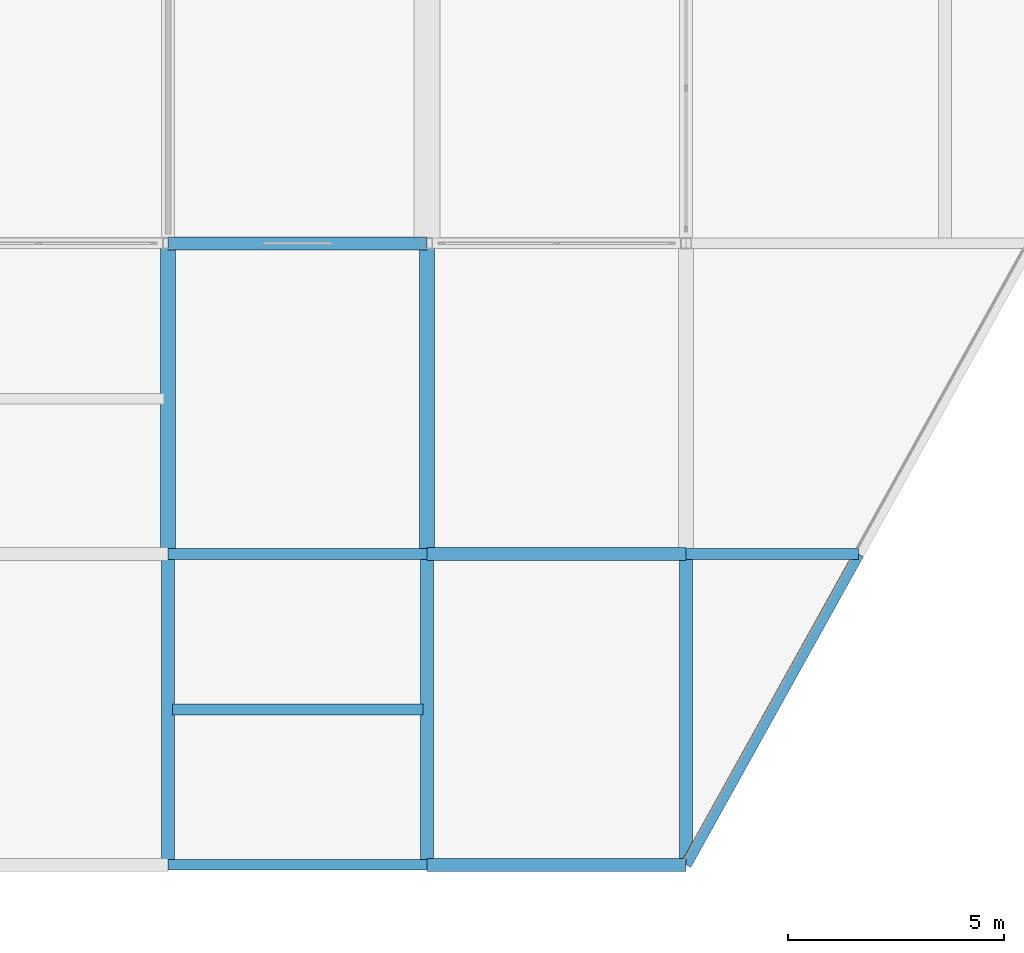
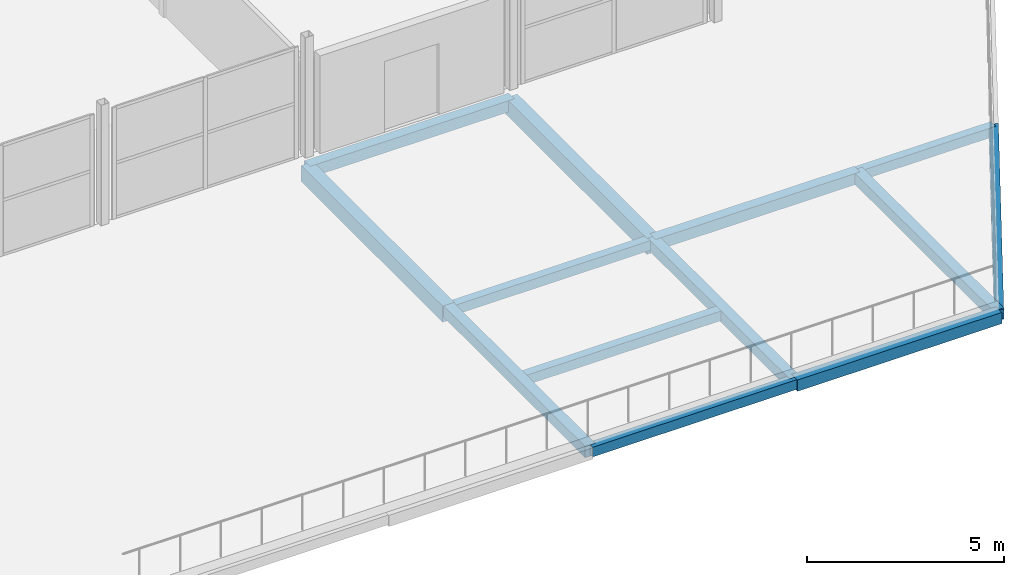
# One storey, part 157 of 239: 13 beams.
"""IFC4 building model written with IfcOpenShell, lengths in metres."""

from ifc_helpers import new_model, si_unit, direction, frame, origin, origin_2d, place, context, subcontext, project, spatial, rectangle, extrude, material, material_profile, profile_set, type_object, element, save


model = new_model("IFC4")

# Units and contexts
model_context = context("Model", 3, precision=1e-05, world=origin(), true_north=direction((0.0, 1.0)))
body_context = subcontext(model_context, "Body", "Model", "MODEL_VIEW")
ifc_project = project(units=[si_unit("LENGTHUNIT", "METRE"), si_unit("AREAUNIT", "SQUARE_METRE"), si_unit("VOLUMEUNIT", "CUBIC_METRE"), si_unit("PLANEANGLEUNIT", "RADIAN"), si_unit("MASSUNIT", "GRAM", prefix="KILO")], contexts=[model_context])

# Site, building, storey
site_placement = place(None, origin())
site = spatial("IfcSite", under=ifc_project, at=site_placement, CompositionType="ELEMENT")
building_placement = place(site_placement, origin())
building = spatial("IfcBuilding", under=site, at=building_placement, Name="Dunvalen Ferry Terminal", CompositionType="ELEMENT")
storey_placement = place(building_placement, frame((0.0, 0.0, 9.840087890625)))
storey = spatial("IfcBuildingStorey", under=building, at=storey_placement, Name="L02", CompositionType="ELEMENT", Elevation=9.840087890625)

# Beams
ifc_material_1 = material(Name="Concrete C35/45", Category="concrete")
ifc_material_profile_1 = material_profile(ifc_material_1, rectangle(XDim=0.35009765625, YDim=0.5, at=origin_2d()), Name="Concrete C35/45")
ifc_profile_set_1 = profile_set([ifc_material_profile_1], Name="Concrete C35/45")
beam_type_1 = type_object("IfcBeamType", Name="STR-BM-RCB500W", PredefinedType="JOIST", material=ifc_profile_set_1)
for number, where, z_axis, x_axis, name in (
    (1, (144.0, 7.199951171875, -0.530029296875), (0.0, 1.0, 0.0), (-1.0, 0.0, 0.0), "L02 V4 Primary Girder Y-099"),
    (2, (150.0, 7.199951171875, -0.530029296875), (0.0, 1.0, 0.0), (-1.0, 0.0, 0.0), "L02 V4 Primary Girder Y-105"),
):
    element("IfcBeam", number, at=place(storey_placement, frame(where, z_axis=z_axis, x_axis=x_axis)), inside=storey, type_object=beam_type_1, Name=name, PredefinedType="JOIST", context=body_context, shape_type="SweptSolid", body=[
        extrude(rectangle(XDim=0.35009765625, YDim=0.5, at=origin_2d()), origin(), (0.0, 0.0, 1.0), 7.199951171875),
    ])
ifc_material_profile_2 = material_profile(ifc_material_1, rectangle(XDim=0.25, YDim=0.300048828125, at=origin_2d()), Name="Concrete C35/45")
ifc_profile_set_2 = profile_set([ifc_material_profile_2], Name="Concrete C35/45")
beam_type_2 = type_object("IfcBeamType", Name="STR-BM-RCL300", PredefinedType="LINTEL", material=ifc_profile_set_2)
beam_1_placement = place(storey_placement, frame((156.0, 0.0, -0.43017578125), z_axis=(0.485645447903, 0.874155877937, 0.0), x_axis=(-0.874155877937, 0.485645447903, 0.0)))
element("IfcBeam", 3, at=beam_1_placement, inside=storey, type_object=beam_type_2, Name="L02 Hexagon-Cut Wing Perimeter Beam 1", PredefinedType="LINTEL", context=body_context, shape_type="SweptSolid", body=[
    extrude(rectangle(XDim=0.25, YDim=0.300048828125, at=origin_2d()), origin(), (0.0, 0.0, 1.0), 8.236572265625),
])
beam_2_placement = place(storey_placement, frame((156.0, 7.199951171875, -0.43017578125), z_axis=(1.0, 0.0, 0.0), x_axis=(0.0, 1.0, 0.0)))
element("IfcBeam", 4, at=beam_2_placement, inside=storey, type_object=beam_type_2, Name="L02 Hexagon-Cut Wing Tie Beam Y7", PredefinedType="LINTEL", context=body_context, shape_type="SweptSolid", body=[
    extrude(rectangle(XDim=0.25, YDim=0.300048828125, at=origin_2d()), origin(), (0.0, 0.0, 1.0), 4.0),
])
for number, where, z_axis, x_axis, name in (
    (5, (144.0, 0.0, -0.43017578125), (1.0, 0.0, 0.0), (0.0, 1.0, 0.0), "L02 V4 Primary Beam X-007"),
    (6, (144.0, 7.199951171875, -0.43017578125), (1.0, 0.0, 0.0), (0.0, 1.0, 0.0), "L02 V4 Primary Beam X-015"),
):
    element("IfcBeam", number, at=place(storey_placement, frame(where, z_axis=z_axis, x_axis=x_axis)), inside=storey, type_object=beam_type_2, Name=name, PredefinedType="LINTEL", context=body_context, shape_type="SweptSolid", body=[
        extrude(rectangle(XDim=0.25, YDim=0.300048828125, at=origin_2d()), origin(), (0.0, 0.0, 1.0), 6.0),
    ])
beam_3_placement = place(storey_placement, frame((144.10009765625, 3.60009765625, -0.43017578125), z_axis=(1.0, 0.0, 0.0), x_axis=(0.0, 1.0, 0.0)))
element("IfcBeam", 7, at=beam_3_placement, inside=storey, type_object=beam_type_2, Name="L02 V4 Secondary Joist 006", PredefinedType="LINTEL", context=body_context, shape_type="SweptSolid", body=[
    extrude(rectangle(XDim=0.25, YDim=0.300048828125, at=origin_2d()), origin(), (0.0, 0.0, 1.0), 5.7998046875),
])
ifc_material_2 = material(Name="Concrete C40/50", Category="concrete")
ifc_material_profile_3 = material_profile(ifc_material_2, rectangle(XDim=0.300048828125, YDim=0.35009765625, at=origin_2d()), Name="Concrete C40/50")
ifc_profile_set_3 = profile_set([ifc_material_profile_3], Name="Concrete C40/50")
beam_type_3 = type_object("IfcBeamType", Name="STR-BM-RCL350", PredefinedType="LINTEL", material=ifc_profile_set_3)
for number, where, z_axis, x_axis, name in (
    (8, (150.0, 0.0, -0.455078125), (1.0, 0.0, 0.0), (0.0, 1.0, 0.0), "L02 V4 Primary Beam X-008"),
    (9, (150.0, 7.199951171875, -0.455078125), (1.0, 0.0, 0.0), (0.0, 1.0, 0.0), "L02 V4 Primary Beam X-016"),
    (10, (144.0, 14.39990234375, -0.455078125), (1.0, 0.0, 0.0), (0.0, 1.0, 0.0), "L02 V4 Primary Beam X-024"),
):
    element("IfcBeam", number, at=place(storey_placement, frame(where, z_axis=z_axis, x_axis=x_axis)), inside=storey, type_object=beam_type_3, Name=name, PredefinedType="LINTEL", context=body_context, shape_type="SweptSolid", body=[
        extrude(rectangle(XDim=0.300048828125, YDim=0.35009765625, at=origin_2d()), origin(), (0.0, 0.0, 1.0), 6.0),
    ])
for number, where, z_axis, x_axis, name in (
    (11, (144.0, 0.0, -0.455078125), (0.0, 1.0, 0.0), (-1.0, 0.0, 0.0), "L02 V4 Primary Girder Y-098"),
    (12, (150.0, 0.0, -0.455078125), (0.0, 1.0, 0.0), (-1.0, 0.0, 0.0), "L02 V4 Primary Girder Y-104"),
    (13, (156.0, 0.0, -0.455078125), (0.0, 1.0, 0.0), (-1.0, 0.0, 0.0), "L02 V4 Primary Girder Y-108"),
):
    element("IfcBeam", number, at=place(storey_placement, frame(where, z_axis=z_axis, x_axis=x_axis)), inside=storey, type_object=beam_type_3, Name=name, PredefinedType="LINTEL", context=body_context, shape_type="SweptSolid", body=[
        extrude(rectangle(XDim=0.300048828125, YDim=0.35009765625, at=origin_2d()), origin(), (0.0, 0.0, 1.0), 7.199951171875),
    ])

save(model, "model.ifc")
